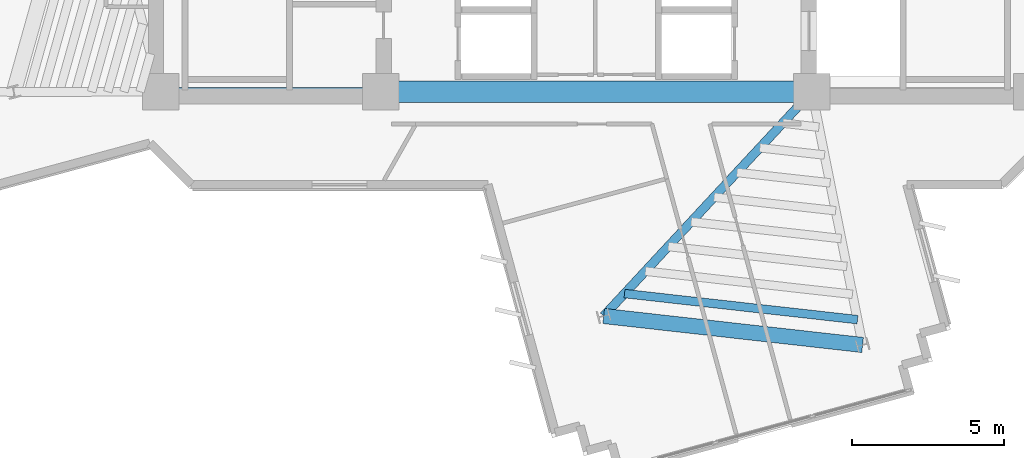
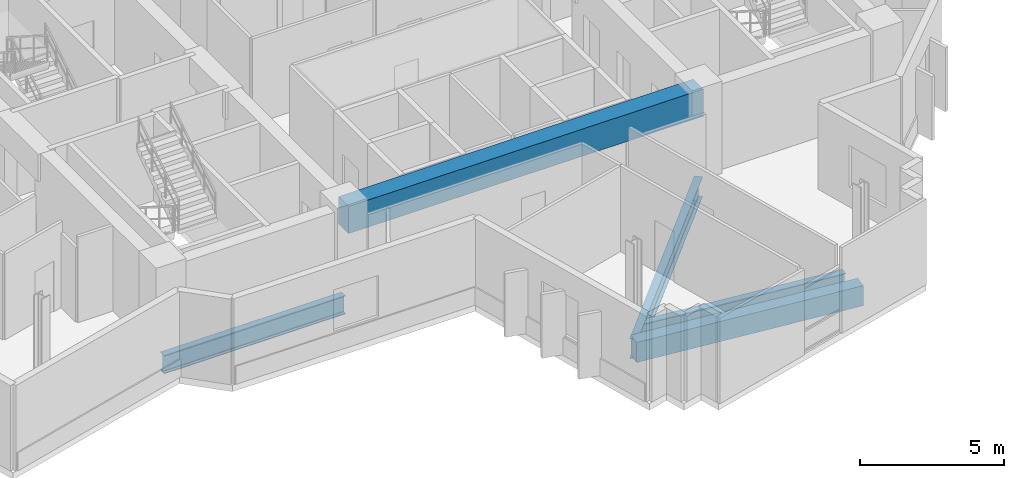
# One storey, part 3 of 15: 5 beams.
"""IFC4 building model written with IfcOpenShell, lengths in metres."""

from ifc_helpers import new_model, si_unit, direction, frame, origin, origin_2d, place, context, subcontext, project, spatial, rectangle, i_section, extrude, source, transform, mapped, material, material_profile, profile_set, type_object, element, save


model = new_model("IFC4")

# Units and contexts
model_context = context("Model", 3, precision=1e-05, world=origin(), true_north=direction((0.0, 1.0)))
body_context = subcontext(model_context, "Body", "Model", "MODEL_VIEW")
ifc_project = project(units=[si_unit("LENGTHUNIT", "METRE"), si_unit("AREAUNIT", "SQUARE_METRE"), si_unit("VOLUMEUNIT", "CUBIC_METRE"), si_unit("PLANEANGLEUNIT", "RADIAN"), si_unit("MASSUNIT", "GRAM", prefix="KILO")], contexts=[model_context])

# Site, building, storey
site_placement = place(None, origin())
site = spatial("IfcSite", under=ifc_project, at=site_placement, CompositionType="ELEMENT")
building_placement = place(site_placement, origin())
building = spatial("IfcBuilding", under=site, at=building_placement, Name="Zahravan Cultural Tower", CompositionType="ELEMENT")
storey_placement = place(building_placement, frame((0.0, 0.0, 194.10009765625)))
storey = spatial("IfcBuildingStorey", under=building, at=storey_placement, Name="L45", CompositionType="ELEMENT", Elevation=194.10009765625)

# Beams
ifc_material_1 = material(Name="Concrete C50/60", Category="concrete")
ifc_material_profile_1 = material_profile(ifc_material_1, rectangle(XDim=0.699951171875, YDim=1.14990234375, at=origin_2d()), Name="RC700X1150")
ifc_profile_set_1 = profile_set([ifc_material_profile_1], Name="Concrete C50/60")
beam_type_1 = type_object("IfcBeamType", Name="BM-LN-RC700X1150", PredefinedType="LINTEL", material=ifc_profile_set_1)
shared_shape_1 = source(origin(), body_context, "Body", "SweptSolid", [
    extrude(rectangle(XDim=0.699951171875, YDim=1.14990234375, at=origin_2d()), origin(), (0.0, 0.0, 1.0), 14.2001953125),
])
beam_1_placement = place(storey_placement, frame((28.89990234375, 17.800048828125, 3.044921875), z_axis=(1.0, 0.0, 0.0), x_axis=(0.0, 1.0, 0.0)))
element("IfcBeam", 1, at=beam_1_placement, inside=storey, type_object=beam_type_1, Name="L45 Beam LN-L45-S", PredefinedType="LINTEL", context=body_context, shape_type="MappedRepresentation", body=[
    mapped(shared_shape_1, transform((0.0, 0.0, 0.0), x_axis=(1.0, 0.0, 0.0), y_axis=(0.0, 1.0, 0.0), z_axis=(0.0, 0.0, 1.0), scale=1.0)),
])
ifc_material_2 = material(Name="Steel ASTM A992 Grade 50", Category="steel")
ifc_material_profile_2 = material_profile(ifc_material_2, i_section(OverallWidth=0.26611328125, OverallDepth=0.780029296875, WebThickness=0.0166015625, FlangeThickness=0.030029296875, FilletRadius=0.01904296875, at=origin_2d()), Name="W30X148")
ifc_profile_set_2 = profile_set([ifc_material_profile_2], Name="Steel ASTM A992 Grade 50")
beam_type_2 = type_object("IfcBeamType", Name="BM-G-W30X148", PredefinedType="BEAM", material=ifc_profile_set_2)
shared_shape_2 = source(origin(), body_context, "Body", "SweptSolid", [
    extrude(i_section(OverallWidth=0.26611328125, OverallDepth=0.780029296875, WebThickness=0.0166015625, FlangeThickness=0.030029296875, FilletRadius=0.01904296875, at=origin_2d()), origin(), (0.0, 0.0, 1.0), 7.25),
])
beam_2_placement = place(storey_placement, frame((21.64990234375, 17.800048828125, -0.670166015625), z_axis=(1.0, 0.0, 0.0), x_axis=(0.0, 1.0, 0.0)))
element("IfcBeam", 2, at=beam_2_placement, inside=storey, type_object=beam_type_2, Name="L45 Beam BG-L45-01", PredefinedType="BEAM", context=body_context, shape_type="MappedRepresentation", body=[
    mapped(shared_shape_2, transform((0.0, 0.0, 0.0), x_axis=(1.0, 0.0, 0.0), y_axis=(0.0, 1.0, 0.0), z_axis=(0.0, 0.0, 1.0), scale=1.0)),
])
ifc_material_profile_3 = material_profile(ifc_material_1, rectangle(XDim=0.5, YDim=0.85009765625, at=origin_2d()), Name="RC500X850")
ifc_profile_set_3 = profile_set([ifc_material_profile_3], Name="Concrete C50/60")
beam_type_3 = type_object("IfcBeamType", Name="BM-SP-RC500X850", PredefinedType="SPANDREL", material=ifc_profile_set_3)
shared_shape_3 = source(origin(), body_context, "Body", "SweptSolid", [
    extrude(rectangle(XDim=0.5, YDim=0.85009765625, at=origin_2d()), origin(), (0.0, 0.0, 1.0), 8.579833984375),
])
beam_3_placement = place(storey_placement, frame((36.245361328125, 10.412353515625, -0.705078125), z_axis=(0.9938040105, -0.11114669907, 0.0), x_axis=(0.11114669907, 0.9938040105, 0.0)))
element("IfcBeam", 3, at=beam_3_placement, inside=storey, type_object=beam_type_3, Name="L45 Beam SP-L45-20", PredefinedType="SPANDREL", context=body_context, shape_type="MappedRepresentation", body=[
    mapped(shared_shape_3, transform((0.0, 0.0, 0.0), x_axis=(1.0, 0.0, 0.0), y_axis=(0.0, 1.0, 0.0), z_axis=(0.0, 0.0, 1.0), scale=1.0)),
])
ifc_material_profile_4 = material_profile(ifc_material_2, i_section(OverallWidth=0.29296875, OverallDepth=0.845947265625, WebThickness=0.015380859375, FlangeThickness=0.0244140625, FilletRadius=0.02001953125, at=origin_2d()), Name="W33X141")
ifc_profile_set_4 = profile_set([ifc_material_profile_4], Name="Steel ASTM A992 Grade 50")
beam_type_4 = type_object("IfcBeamType", Name="BM-G-W33X141", PredefinedType="BEAM", material=ifc_profile_set_4)
shared_shape_4 = source(origin(), body_context, "Body", "SweptSolid", [
    extrude(i_section(OverallWidth=0.29296875, OverallDepth=0.845947265625, WebThickness=0.015380859375, FlangeThickness=0.0244140625, FilletRadius=0.02001953125, at=origin_2d()), origin(), (0.0, 0.0, 1.0), 10.077880859375),
])
beam_4_placement = place(storey_placement, frame((43.10009765625, 17.800048828125, -0.703125), z_axis=(-0.680170435587, -0.733054007938, 0.0), x_axis=(0.733054007938, -0.680170435587, 0.0)))
element("IfcBeam", 4, at=beam_4_placement, inside=storey, type_object=beam_type_4, Name="L45 Beam BG-L45-09", PredefinedType="BEAM", context=body_context, shape_type="MappedRepresentation", body=[
    mapped(shared_shape_4, transform((0.0, 0.0, 0.0), x_axis=(1.0, 0.0, 0.0), y_axis=(0.0, 1.0, 0.0), z_axis=(0.0, 0.0, 1.0), scale=1.0)),
])
ifc_material_profile_5 = material_profile(ifc_material_2, i_section(OverallWidth=0.280029296875, OverallDepth=0.462890625, WebThickness=0.0107421875, FlangeThickness=0.017333984375, FilletRadius=0.012939453125, at=origin_2d()), Name="W18X76")
ifc_profile_set_5 = profile_set([ifc_material_profile_5], Name="Steel ASTM A992 Grade 50")
beam_type_5 = type_object("IfcBeamType", Name="BM-J-W18X76", PredefinedType="JOIST", material=ifc_profile_set_5)
shared_shape_5 = source(origin(), body_context, "Body", "SweptSolid", [
    extrude(i_section(OverallWidth=0.280029296875, OverallDepth=0.462890625, WebThickness=0.0107421875, FlangeThickness=0.017333984375, FilletRadius=0.012939453125, at=origin_2d()), origin(), (0.0, 0.0, 1.0), 7.7216796875),
])
beam_5_placement = place(storey_placement, frame((36.930908203125, 11.151123046875, -0.51171875), z_axis=(0.993805212115, -0.11113595446, 0.0), x_axis=(0.11113595446, 0.993805212115, 0.0)))
element("IfcBeam", 5, at=beam_5_placement, inside=storey, type_object=beam_type_5, Name="L45 Beam BJ-L45-41", PredefinedType="JOIST", context=body_context, shape_type="MappedRepresentation", body=[
    mapped(shared_shape_5, transform((0.0, 0.0, 0.0), x_axis=(1.0, 0.0, 0.0), y_axis=(0.0, 1.0, 0.0), z_axis=(0.0, 0.0, 1.0), scale=1.0)),
])

save(model, "model.ifc")
